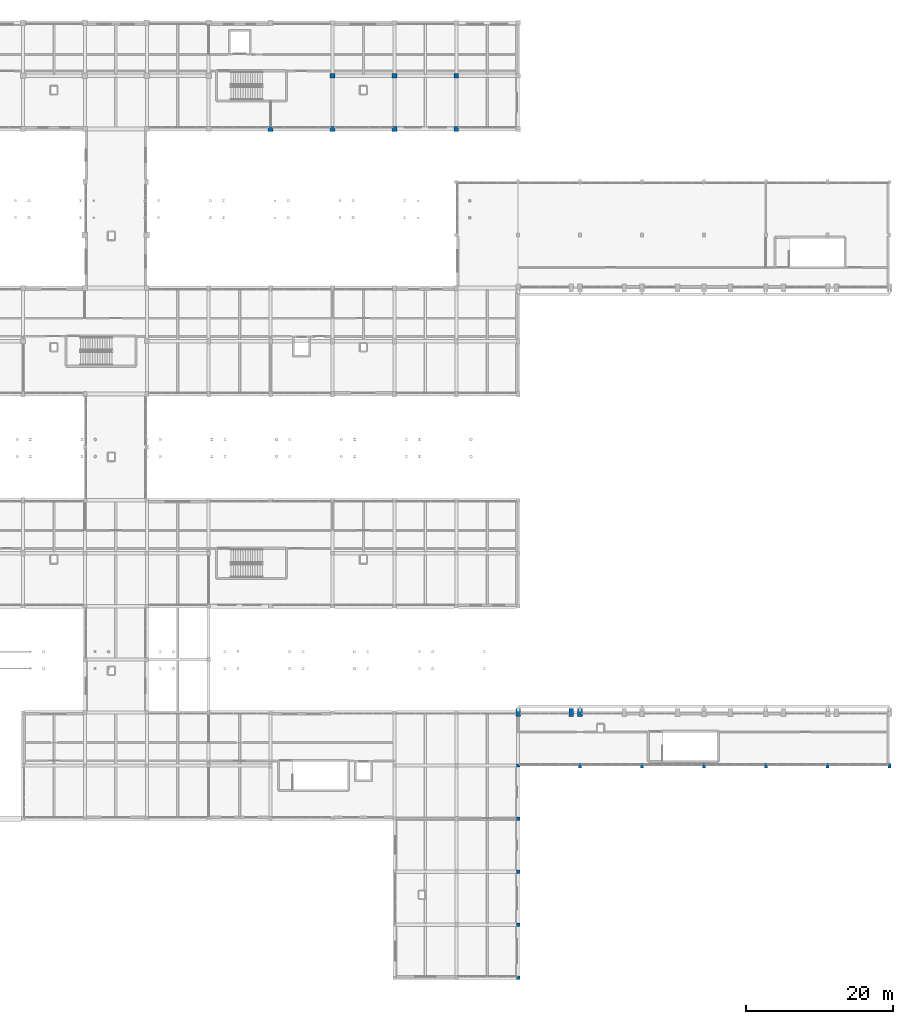
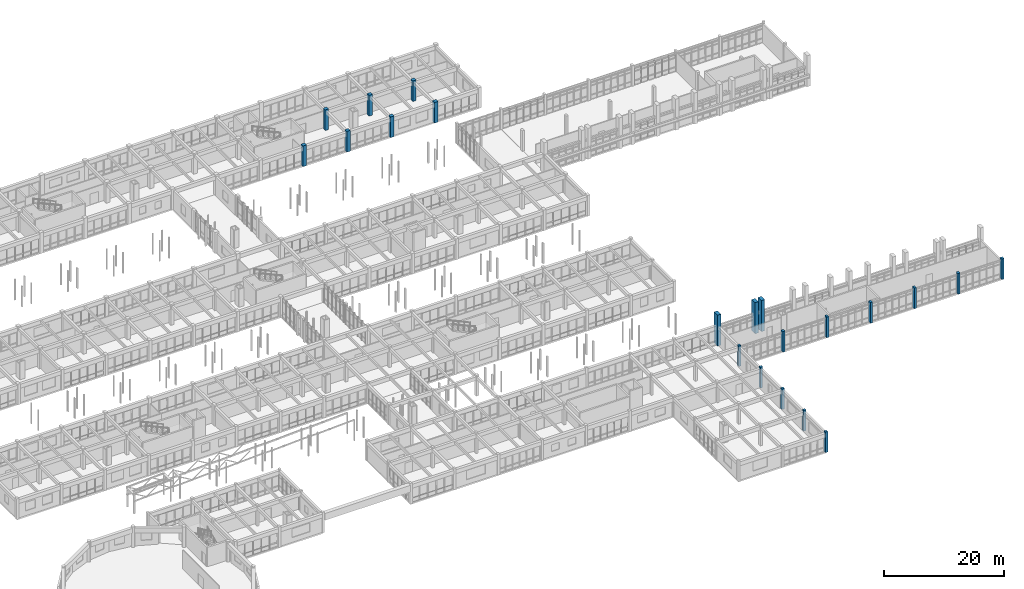
# One storey, part 28 of 147: 21 columns.
"""IFC4 building model written with IfcOpenShell, lengths in metres."""

from ifc_helpers import new_model, si_unit, direction, frame, origin, origin_2d, place, context, subcontext, project, spatial, rectangle, extrude, material, material_profile, profile_set, type_object, element, save


model = new_model("IFC4")

# Units and contexts
model_context = context("Model", 3, precision=1e-05, world=origin(), true_north=direction((0.0, 1.0)))
body_context = subcontext(model_context, "Body", "Model", "MODEL_VIEW")
ifc_project = project(units=[si_unit("LENGTHUNIT", "METRE"), si_unit("AREAUNIT", "SQUARE_METRE"), si_unit("VOLUMEUNIT", "CUBIC_METRE"), si_unit("PLANEANGLEUNIT", "RADIAN"), si_unit("MASSUNIT", "GRAM", prefix="KILO")], contexts=[model_context])

# Site, building, storey
site_placement = place(None, origin())
site = spatial("IfcSite", under=ifc_project, at=site_placement, CompositionType="ELEMENT")
building_placement = place(site_placement, origin())
building = spatial("IfcBuilding", under=site, at=building_placement, Name="Malvenik Polytechnic", CompositionType="ELEMENT")
storey_placement = place(building_placement, frame((0.0, 0.0, 5.10009765625)))
storey = spatial("IfcBuildingStorey", under=building, at=storey_placement, Name="L01", CompositionType="ELEMENT", Elevation=5.10009765625)

# Columns
ifc_material = material(Name="Concrete C35/45", Category="concrete")
ifc_material_profile_1 = material_profile(ifc_material, rectangle(XDim=0.64990234375, YDim=0.64990234375, at=origin_2d()), Name="RC COL 650x650")
ifc_profile_set_1 = profile_set([ifc_material_profile_1], Name="Concrete C35/45")
column_type_1 = type_object("IfcColumnType", Name="STR-COL-C-05", PredefinedType="COLUMN", material=ifc_profile_set_1)
for number, where, z_axis, x_axis, name in (
    (1, (100.800048828125, 115.199951171875, 0.0), (0.0, 0.0, 1.0), (1.0, 0.0, 0.0), "Column C-05 L01 (100.8,115.2)"),
    (2, (109.199951171875, 115.199951171875, 0.0), (0.0, 0.0, 1.0), (1.0, 0.0, 0.0), "Column C-05 L01 (109.2,115.2)"),
    (3, (109.199951171875, 122.39990234375, 0.0), (0.0, 0.0, 1.0), (1.0, 0.0, 0.0), "Column C-05 L01 (109.2,122.4)"),
    (4, (117.60009765625, 115.199951171875, 0.0), (0.0, 0.0, 1.0), (1.0, 0.0, 0.0), "Column C-05 L01 (117.6,115.2)"),
    (5, (117.60009765625, 122.39990234375, 0.0), (0.0, 0.0, 1.0), (1.0, 0.0, 0.0), "Column C-05 L01 (117.6,122.4)"),
    (6, (126.0, 115.199951171875, 0.0), (0.0, 0.0, 1.0), (1.0, 0.0, 0.0), "Column C-05 L01 (126.0,115.2)"),
    (7, (126.0, 122.39990234375, 0.0), (0.0, 0.0, 1.0), (1.0, 0.0, 0.0), "Column C-05 L01 (126.0,122.4)"),
):
    element("IfcColumn", number, at=place(storey_placement, frame(where, z_axis=z_axis, x_axis=x_axis)), inside=storey, type_object=column_type_1, Name=name, PredefinedType="COLUMN", context=body_context, shape_type="SweptSolid", body=[
        extrude(rectangle(XDim=0.64990234375, YDim=0.64990234375, at=origin_2d()), origin(), (0.0, 0.0, 1.0), 4.199951171875),
    ])
ifc_material_profile_2 = material_profile(ifc_material, rectangle(XDim=0.449951171875, YDim=0.449951171875, at=origin_2d()), Name="RC COL 450x450")
ifc_profile_set_2 = profile_set([ifc_material_profile_2], Name="Concrete C35/45")
column_type_2 = type_object("IfcColumnType", Name="STR-COL-C-09", PredefinedType="COLUMN", material=ifc_profile_set_2)
for number, where, z_axis, x_axis, name in (
    (8, (134.39990234375, 0.0, 0.0), (0.0, 0.0, 1.0), (1.0, 0.0, 0.0), "Column C-09 L01 (134.4,0.0)"),
    (9, (134.39990234375, 7.199951171875, 0.0), (0.0, 0.0, 1.0), (1.0, 0.0, 0.0), "Column C-09 L01 (134.4,7.2)"),
    (10, (134.39990234375, 14.39990234375, 0.0), (0.0, 0.0, 1.0), (1.0, 0.0, 0.0), "Column C-09 L01 (134.4,14.4)"),
    (11, (134.39990234375, 21.60009765625, 0.0), (0.0, 0.0, 1.0), (1.0, 0.0, 0.0), "Column C-09 L01 (134.4,21.6)"),
    (12, (134.39990234375, 28.800048828125, 0.0), (0.0, 0.0, 1.0), (1.0, 0.0, 0.0), "Column C-09 L01 (134.4,28.8)"),
):
    element("IfcColumn", number, at=place(storey_placement, frame(where, z_axis=z_axis, x_axis=x_axis)), inside=storey, type_object=column_type_2, Name=name, PredefinedType="COLUMN", context=body_context, shape_type="SweptSolid", body=[
        extrude(rectangle(XDim=0.449951171875, YDim=0.449951171875, at=origin_2d()), origin(), (0.0, 0.0, 1.0), 4.199951171875),
    ])
ifc_material_profile_3 = material_profile(ifc_material, rectangle(XDim=0.64990234375, YDim=1.10009765625, at=origin_2d()), Name="RC COL 1100x650")
ifc_profile_set_3 = profile_set([ifc_material_profile_3], Name="Concrete C35/45")
column_type_3 = type_object("IfcColumnType", Name="STR-COL-C-12", PredefinedType="COLUMN", material=ifc_profile_set_3)
for number, where, z_axis, x_axis, name in (
    (13, (134.39990234375, 36.0, 0.0), (0.0, 0.0, 1.0), (1.0, 0.0, 0.0), "Column C-12 L01 (134.4,36.0)"),
    (14, (141.60009765625, 36.0, 0.0), (0.0, 0.0, 1.0), (1.0, 0.0, 0.0), "Column C-12 L01 (141.6,36.0)"),
    (15, (142.800048828125, 36.0, 0.0), (0.0, 0.0, 1.0), (1.0, 0.0, 0.0), "Column C-12 L01 (142.8,36.0)"),
):
    element("IfcColumn", number, at=place(storey_placement, frame(where, z_axis=z_axis, x_axis=x_axis)), inside=storey, type_object=column_type_3, Name=name, PredefinedType="COLUMN", context=body_context, shape_type="SweptSolid", body=[
        extrude(rectangle(XDim=0.64990234375, YDim=1.10009765625, at=origin_2d()), origin(), (0.0, 0.0, 1.0), 6.2998046875),
    ])
ifc_material_profile_4 = material_profile(ifc_material, rectangle(XDim=0.39990234375, YDim=0.60009765625, at=origin_2d()), Name="RC COL 600x400")
ifc_profile_set_4 = profile_set([ifc_material_profile_4], Name="Concrete C35/45")
column_type_4 = type_object("IfcColumnType", Name="STR-COL-C-15", PredefinedType="COLUMN", material=ifc_profile_set_4)
for number, where, z_axis, x_axis, name in (
    (16, (142.800048828125, 28.800048828125, 0.0), (0.0, 0.0, 1.0), (1.0, 0.0, 0.0), "Column C-15 L01 (142.8,28.8)"),
    (17, (151.199951171875, 28.800048828125, 0.0), (0.0, 0.0, 1.0), (1.0, 0.0, 0.0), "Column C-15 L01 (151.2,28.8)"),
    (18, (159.60009765625, 28.800048828125, 0.0), (0.0, 0.0, 1.0), (1.0, 0.0, 0.0), "Column C-15 L01 (159.6,28.8)"),
    (19, (168.0, 28.800048828125, 0.0), (0.0, 0.0, 1.0), (1.0, 0.0, 0.0), "Column C-15 L01 (168.0,28.8)"),
    (20, (176.39990234375, 28.800048828125, 0.0), (0.0, 0.0, 1.0), (1.0, 0.0, 0.0), "Column C-15 L01 (176.4,28.8)"),
    (21, (184.800048828125, 28.800048828125, 0.0), (0.0, 0.0, 1.0), (1.0, 0.0, 0.0), "Column C-15 L01 (184.8,28.8)"),
):
    element("IfcColumn", number, at=place(storey_placement, frame(where, z_axis=z_axis, x_axis=x_axis)), inside=storey, type_object=column_type_4, Name=name, PredefinedType="COLUMN", context=body_context, shape_type="SweptSolid", body=[
        extrude(rectangle(XDim=0.39990234375, YDim=0.60009765625, at=origin_2d()), origin(), (0.0, 0.0, 1.0), 4.199951171875),
    ])

save(model, "model.ifc")
